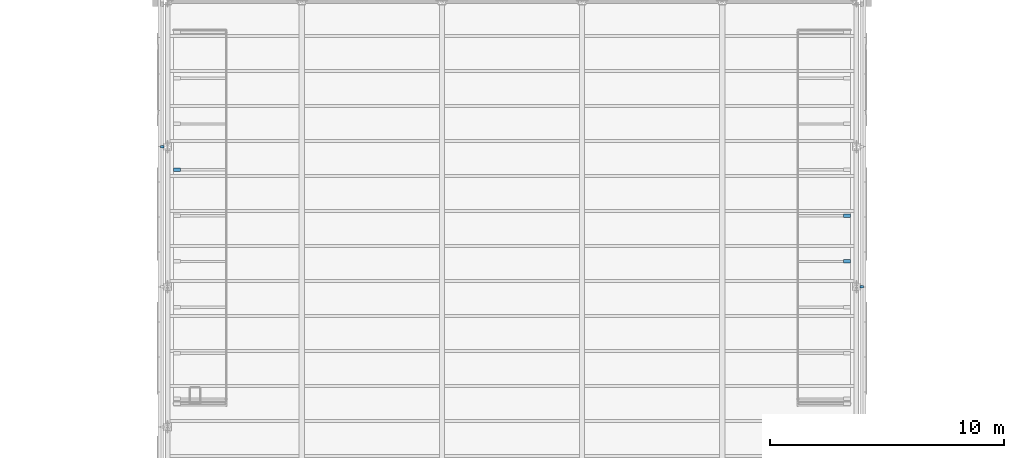
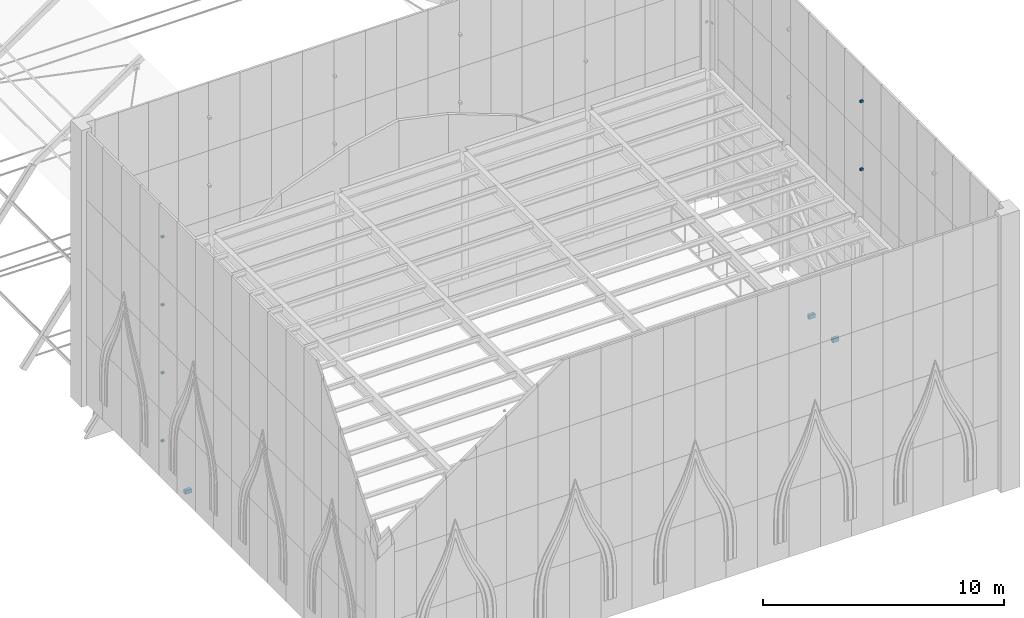
# One storey, part 24 of 43: 9 discrete accessories.
"""IFC4 building model written with IfcOpenShell, lengths in metres."""

from ifc_helpers import new_model, si_unit, direction, frame, origin, origin_2d, place, context, subcontext, project, spatial, rectangle, extrude, element, save


model = new_model("IFC4")

# Units and contexts
model_context = context("Model", 3, precision=1e-05, world=origin(), true_north=direction((0.0, 1.0)))
body_context = subcontext(model_context, "Body", "Model", "MODEL_VIEW")
ifc_project = project(units=[si_unit("LENGTHUNIT", "METRE"), si_unit("AREAUNIT", "SQUARE_METRE"), si_unit("VOLUMEUNIT", "CUBIC_METRE"), si_unit("PLANEANGLEUNIT", "RADIAN"), si_unit("MASSUNIT", "GRAM", prefix="KILO")], contexts=[model_context])

# Site, building, storey
site_placement = place(None, origin())
site = spatial("IfcSite", under=ifc_project, at=site_placement, CompositionType="ELEMENT")
building_placement = place(site_placement, origin())
building = spatial("IfcBuilding", under=site, at=building_placement, Name="Saffron Lane Theatres", CompositionType="ELEMENT")
storey_placement = place(building_placement, frame((0.0, 0.0, 23.0)))
storey = spatial("IfcBuildingStorey", under=building, at=storey_placement, Name="Roof", CompositionType="ELEMENT", Elevation=23.0)

# Discrete accessories
for number, where, z_axis, x_axis, name in (
    (1, (18.64990234375, 47.012451171875, -0.44775390625), (0.0, 0.0, 1.0), (1.0, 0.0, 0.0), "FKW23-7"),
    (2, (47.35009765625, 43.08740234375, -0.44775390625), (0.0, 0.0, 1.0), (1.0, 0.0, 0.0), "FKE23-5"),
    (3, (47.35009765625, 45.050048828125, -0.44775390625), (0.0, 0.0, 1.0), (1.0, 0.0, 0.0), "FKE23-6"),
):
    element("IfcDiscreteAccessory", number, at=place(storey_placement, frame(where, z_axis=z_axis, x_axis=x_axis)), inside=storey, Name=name, PredefinedType="BRACKET", context=body_context, shape_type="SweptSolid", body=[
        extrude(rectangle(XDim=0.300048828125, YDim=0.14990234375, at=origin_2d()), origin(), (0.0, 0.0, 1.0), 0.199951171875),
    ])
for number, where, z_axis, x_axis, name in (
    (4, (18.018310546875, 48.0, 1.768798828125), (0.0, 0.0, 1.0), (0.0, 1.0, 0.0), "Tower panel bracket 61"),
    (5, (18.018310546875, 48.0, 5.206298828125), (0.0, 0.0, 1.0), (0.0, 1.0, 0.0), "Tower panel bracket 62"),
    (6, (18.018310546875, 48.0, 8.643798828125), (0.0, 0.0, 1.0), (0.0, 1.0, 0.0), "Tower panel bracket 63"),
    (7, (18.018310546875, 48.0, 12.081298828125), (0.0, 0.0, 1.0), (0.0, 1.0, 0.0), "Tower panel bracket 64"),
    (8, (47.981689453125, 42.0, 8.643798828125), (0.0, 0.0, 1.0), (0.0, 1.0, 0.0), "Tower panel bracket 79"),
    (9, (47.981689453125, 42.0, 12.081298828125), (0.0, 0.0, 1.0), (0.0, 1.0, 0.0), "Tower panel bracket 80"),
):
    element("IfcDiscreteAccessory", number, at=place(storey_placement, frame(where, z_axis=z_axis, x_axis=x_axis)), inside=storey, Name=name, PredefinedType="BRACKET", context=body_context, shape_type="SweptSolid", body=[
        extrude(rectangle(XDim=0.10009765625, YDim=0.136474609375, at=origin_2d()), origin(), (0.0, 0.0, 1.0), 0.10009765625),
    ])

save(model, "model.ifc")
